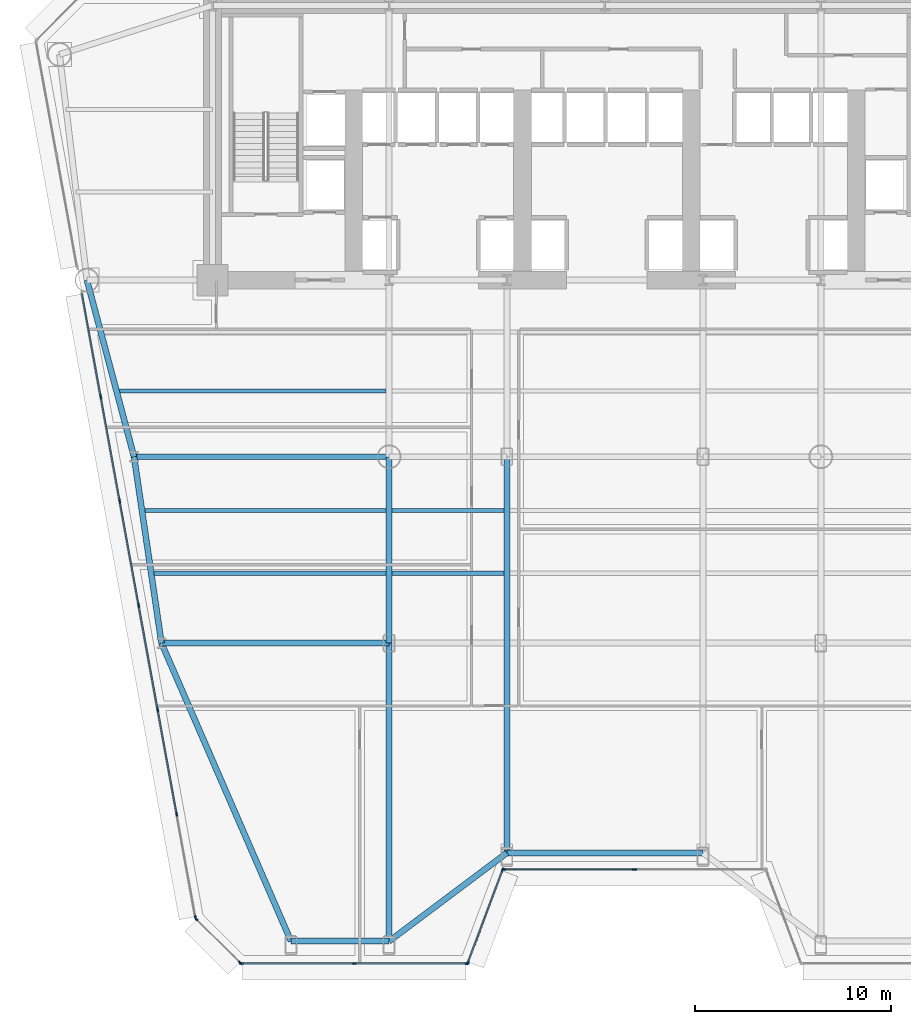
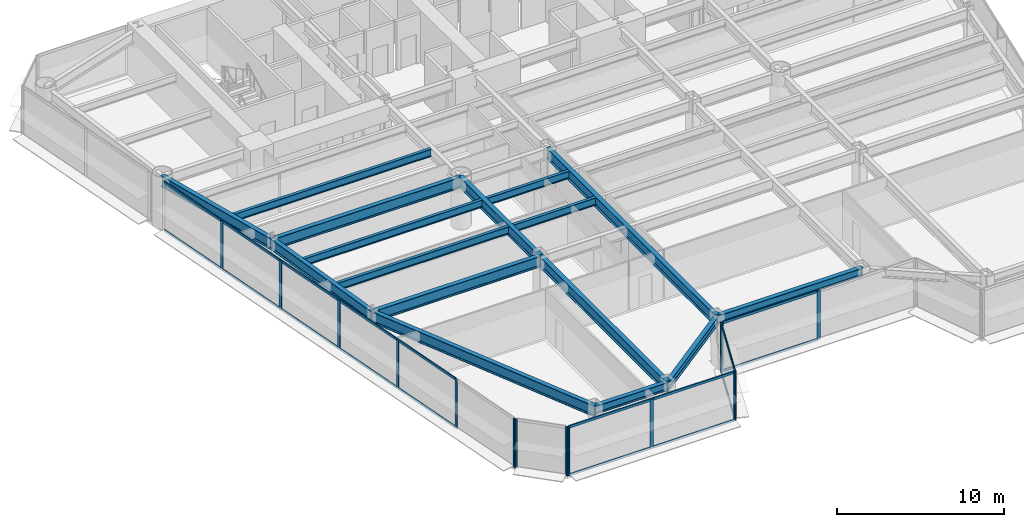
# One storey, part 2 of 14: 33 members, 16 beams, 5 elements without a shape of their own.
"""IFC4 building model written with IfcOpenShell, lengths in metres."""

from ifc_helpers import new_model, si_unit, direction, frame, origin, origin_2d, place, context, subcontext, project, spatial, rectangle, i_section, extrude, source, transform, mapped, material, layer, layer_set, material_profile, profile_set, type_object, element, aggregate, save


model = new_model("IFC4")

# Units and contexts
model_context = context("Model", 3, precision=1e-05, world=origin(), true_north=direction((0.0, 1.0)))
body_context = subcontext(model_context, "Body", "Model", "MODEL_VIEW")
ifc_project = project(units=[si_unit("LENGTHUNIT", "METRE"), si_unit("AREAUNIT", "SQUARE_METRE"), si_unit("VOLUMEUNIT", "CUBIC_METRE"), si_unit("PLANEANGLEUNIT", "RADIAN"), si_unit("MASSUNIT", "GRAM", prefix="KILO")], contexts=[model_context])

# Site, building, storey
site_placement = place(None, origin())
site = spatial("IfcSite", under=ifc_project, at=site_placement, CompositionType="ELEMENT")
building_placement = place(site_placement, origin())
building = spatial("IfcBuilding", under=site, at=building_placement, Name="Vaeldorn Concourse Tower", CompositionType="ELEMENT")
storey_placement = place(building_placement, frame((0.0, 0.0, 45.39990234375)))
storey = spatial("IfcBuildingStorey", under=building, at=storey_placement, Name="L11", CompositionType="ELEMENT", Elevation=45.39990234375)

# Beams
ifc_material_1 = material(Name="Steel S355", Category="steel")
ifc_material_profile_1 = material_profile(ifc_material_1, i_section(OverallWidth=0.300048828125, OverallDepth=0.800048828125, WebThickness=0.017578125, FlangeThickness=0.032958984375, FilletRadius=0.030029296875, at=origin_2d()), Name="HEB 800")
ifc_profile_set_1 = profile_set([ifc_material_profile_1], Name="Steel S355")
beam_type_1 = type_object("IfcBeamType", Name="BM-PG-HEB800", PredefinedType="BEAM", material=ifc_profile_set_1)
shared_shape_1 = source(origin(), body_context, "Body", "SweptSolid", [
    extrude(i_section(OverallWidth=0.300048828125, OverallDepth=0.800048828125, WebThickness=0.017578125, FlangeThickness=0.032958984375, FilletRadius=0.030029296875, at=origin_2d()), origin(), (0.0, 0.0, 1.0), 9.314453125),
])
beam_1_placement = place(storey_placement, frame((7.60009765625, 36.5, 3.18017578125), z_axis=(0.257652862255, -0.966237549763, 0.0), x_axis=(0.966237549763, 0.257652862255, 0.0)))
element("IfcBeam", 1, at=beam_1_placement, inside=storey, type_object=beam_type_1, Name="Beam BM-L11-C-NW2-C-FLW1", PredefinedType="BEAM", context=body_context, shape_type="MappedRepresentation", body=[
    mapped(shared_shape_1, transform((0.0, 0.0, 0.0), scale=1.0)),
])
shared_shape_2 = source(origin(), body_context, "Body", "SweptSolid", [
    extrude(i_section(OverallWidth=0.300048828125, OverallDepth=0.800048828125, WebThickness=0.017578125, FlangeThickness=0.032958984375, FilletRadius=0.030029296875, at=origin_2d()), origin(), (0.0, 0.0, 1.0), 13.0),
])
beam_2_placement = place(storey_placement, frame((10.0, 27.5, 3.18017578125), z_axis=(1.0, 0.0, 0.0), x_axis=(0.0, 1.0, 0.0)))
element("IfcBeam", 2, at=beam_2_placement, inside=storey, type_object=beam_type_1, Name="Beam BM-L11-C-FLW1-C-TW1", PredefinedType="BEAM", context=body_context, shape_type="MappedRepresentation", body=[
    mapped(shared_shape_2, transform((0.0, 0.0, 0.0), scale=1.0)),
])
ifc_material_profile_2 = material_profile(ifc_material_1, i_section(OverallWidth=0.300048828125, OverallDepth=0.60009765625, WebThickness=0.015380859375, FlangeThickness=0.030029296875, FilletRadius=0.027099609375, at=origin_2d()), Name="HEB 600")
ifc_profile_set_2 = profile_set([ifc_material_profile_2], Name="Steel S355")
beam_type_2 = type_object("IfcBeamType", Name="BM-SP-HEB600", PredefinedType="SPANDREL", material=ifc_profile_set_2)
shared_shape_3 = source(origin(), body_context, "Body", "SweptSolid", [
    extrude(i_section(OverallWidth=0.300048828125, OverallDepth=0.60009765625, WebThickness=0.015380859375, FlangeThickness=0.030029296875, FilletRadius=0.027099609375, at=origin_2d()), origin(), (0.0, 0.0, 1.0), 5.0),
])
beam_3_placement = place(storey_placement, frame((18.0, 2.8125, 3.280029296875), z_axis=(1.0, 0.0, 0.0), x_axis=(0.0, 1.0, 0.0)))
element("IfcBeam", 3, at=beam_3_placement, inside=storey, type_object=beam_type_2, Name="Beam BM-L11-C-SF1-C-SF2", PredefinedType="SPANDREL", context=body_context, shape_type="MappedRepresentation", body=[
    mapped(shared_shape_3, transform((0.0, 0.0, 0.0), scale=1.0)),
])
shared_shape_4 = source(origin(), body_context, "Body", "SweptSolid", [
    extrude(i_section(OverallWidth=0.300048828125, OverallDepth=0.60009765625, WebThickness=0.015380859375, FlangeThickness=0.030029296875, FilletRadius=0.027099609375, at=origin_2d()), origin(), (0.0, 0.0, 1.0), 7.5),
])
beam_4_placement = place(storey_placement, frame((23.0, 2.8125, 3.280029296875), z_axis=(0.8, 0.6, 0.0), x_axis=(-0.6, 0.8, 0.0)))
element("IfcBeam", 4, at=beam_4_placement, inside=storey, type_object=beam_type_2, Name="Beam BM-L11-C-SF2-C-SF3", PredefinedType="SPANDREL", context=body_context, shape_type="MappedRepresentation", body=[
    mapped(shared_shape_4, transform((0.0, 0.0, 0.0), scale=1.0)),
])
shared_shape_5 = source(origin(), body_context, "Body", "SweptSolid", [
    extrude(i_section(OverallWidth=0.300048828125, OverallDepth=0.60009765625, WebThickness=0.015380859375, FlangeThickness=0.030029296875, FilletRadius=0.027099609375, at=origin_2d()), origin(), (0.0, 0.0, 1.0), 10.0),
])
beam_5_placement = place(storey_placement, frame((29.0, 7.3125, 3.280029296875), z_axis=(1.0, 0.0, 0.0), x_axis=(0.0, 1.0, 0.0)))
element("IfcBeam", 5, at=beam_5_placement, inside=storey, type_object=beam_type_2, Name="Beam BM-L11-C-SF3-C-SF4", PredefinedType="SPANDREL", context=body_context, shape_type="MappedRepresentation", body=[
    mapped(shared_shape_5, transform((0.0, 0.0, 0.0), scale=1.0)),
])
shared_shape_6 = source(origin(), body_context, "Body", "SweptSolid", [
    extrude(i_section(OverallWidth=0.300048828125, OverallDepth=0.800048828125, WebThickness=0.017578125, FlangeThickness=0.032958984375, FilletRadius=0.030029296875, at=origin_2d()), origin(), (0.0, 0.0, 1.0), 9.6025390625),
])
beam_6_placement = place(storey_placement, frame((10.0, 27.5, 3.18017578125), z_axis=(0.145783835977, -0.989316467652, 0.0), x_axis=(0.989316467652, 0.145783835977, 0.0)))
element("IfcBeam", 6, at=beam_6_placement, inside=storey, type_object=beam_type_1, Name="Beam BM-L11-C-FLW1-C-FLW2", PredefinedType="BEAM", context=body_context, shape_type="MappedRepresentation", body=[
    mapped(shared_shape_6, transform((0.0, 0.0, 0.0), scale=1.0)),
])
shared_shape_7 = source(origin(), body_context, "Body", "SweptSolid", [
    extrude(i_section(OverallWidth=0.300048828125, OverallDepth=0.800048828125, WebThickness=0.017578125, FlangeThickness=0.032958984375, FilletRadius=0.030029296875, at=origin_2d()), origin(), (0.0, 0.0, 1.0), 11.60009765625),
])
beam_7_placement = place(storey_placement, frame((11.39990234375, 18.0, 3.18017578125), z_axis=(1.0, 0.0, 0.0), x_axis=(0.0, 1.0, 0.0)))
element("IfcBeam", 7, at=beam_7_placement, inside=storey, type_object=beam_type_1, Name="Beam BM-L11-C-FLW2-C-TW5", PredefinedType="BEAM", context=body_context, shape_type="MappedRepresentation", body=[
    mapped(shared_shape_7, transform((0.0, 0.0, 0.0), scale=1.0)),
])
shared_shape_8 = source(origin(), body_context, "Body", "SweptSolid", [
    extrude(i_section(OverallWidth=0.300048828125, OverallDepth=0.800048828125, WebThickness=0.017578125, FlangeThickness=0.032958984375, FilletRadius=0.030029296875, at=origin_2d()), origin(), (0.0, 0.0, 1.0), 9.5),
])
beam_8_placement = place(storey_placement, frame((23.0, 18.0, 3.18017578125), z_axis=(0.0, 1.0, 0.0), x_axis=(-1.0, 0.0, 0.0)))
element("IfcBeam", 8, at=beam_8_placement, inside=storey, type_object=beam_type_1, Name="Beam BM-L11-C-TW5-C-TW1", PredefinedType="BEAM", context=body_context, shape_type="MappedRepresentation", body=[
    mapped(shared_shape_8, transform((0.0, 0.0, 0.0), scale=1.0)),
])
ifc_material_profile_3 = material_profile(ifc_material_1, i_section(OverallWidth=0.2099609375, OverallDepth=0.550048828125, WebThickness=0.010986328125, FlangeThickness=0.01708984375, FilletRadius=0.02392578125, at=origin_2d()), Name="IPE 550")
ifc_profile_set_3 = profile_set([ifc_material_profile_3], Name="Steel S355")
beam_type_3 = type_object("IfcBeamType", Name="BM-JS-IPE550", PredefinedType="JOIST", material=ifc_profile_set_3)
shared_shape_9 = source(origin(), body_context, "Body", "SweptSolid", [
    extrude(i_section(OverallWidth=0.2099609375, OverallDepth=0.550048828125, WebThickness=0.010986328125, FlangeThickness=0.01708984375, FilletRadius=0.02392578125, at=origin_2d()), origin(), (0.0, 0.0, 1.0), 5.7001953125),
])
for number, where, z_axis, x_axis, name in (
    (9, (23.14990234375, 21.56005859375, 3.30517578125), (1.0, 0.0, 0.0), (0.0, 1.0, 0.0), "Beam JS-L11-W2-215"),
    (10, (23.14990234375, 24.760009765625, 3.30517578125), (1.0, 0.0, 0.0), (0.0, 1.0, 0.0), "Beam JS-L11-W2-247"),
):
    element("IfcBeam", number, at=place(storey_placement, frame(where, z_axis=z_axis, x_axis=x_axis)), inside=storey, type_object=beam_type_3, Name=name, PredefinedType="JOIST", context=body_context, shape_type="MappedRepresentation", body=[
        mapped(shared_shape_9, transform((0.0, 0.0, 0.0), scale=1.0)),
    ])
shared_shape_10 = source(origin(), body_context, "Body", "SweptSolid", [
    extrude(i_section(OverallWidth=0.2099609375, OverallDepth=0.550048828125, WebThickness=0.010986328125, FlangeThickness=0.01708984375, FilletRadius=0.02392578125, at=origin_2d()), origin(), (0.0, 0.0, 1.0), 11.82470703125),
])
beam_9_placement = place(storey_placement, frame((11.025390625, 21.56005859375, 3.30517578125), z_axis=(1.0, 0.0, 0.0), x_axis=(0.0, 1.0, 0.0)))
element("IfcBeam", 11, at=beam_9_placement, inside=storey, type_object=beam_type_3, Name="Beam JS-L11-W1-215", PredefinedType="JOIST", context=body_context, shape_type="MappedRepresentation", body=[
    mapped(shared_shape_10, transform((0.0, 0.0, 0.0), scale=1.0)),
])
shared_shape_11 = source(origin(), body_context, "Body", "SweptSolid", [
    extrude(i_section(OverallWidth=0.2099609375, OverallDepth=0.550048828125, WebThickness=0.010986328125, FlangeThickness=0.01708984375, FilletRadius=0.02392578125, at=origin_2d()), origin(), (0.0, 0.0, 1.0), 12.29638671875),
])
beam_10_placement = place(storey_placement, frame((10.5537109375, 24.760009765625, 3.30517578125), z_axis=(1.0, 0.0, 0.0), x_axis=(0.0, 1.0, 0.0)))
element("IfcBeam", 12, at=beam_10_placement, inside=storey, type_object=beam_type_3, Name="Beam JS-L11-W1-247", PredefinedType="JOIST", context=body_context, shape_type="MappedRepresentation", body=[
    mapped(shared_shape_11, transform((0.0, 0.0, 0.0), scale=1.0)),
])
shared_shape_12 = source(origin(), body_context, "Body", "SweptSolid", [
    extrude(i_section(OverallWidth=0.2099609375, OverallDepth=0.550048828125, WebThickness=0.010986328125, FlangeThickness=0.01708984375, FilletRadius=0.02392578125, at=origin_2d()), origin(), (0.0, 0.0, 1.0), 13.59619140625),
])
beam_11_placement = place(storey_placement, frame((9.25390625, 30.860107421875, 3.30517578125), z_axis=(1.0, 0.0, 0.0), x_axis=(0.0, 1.0, 0.0)))
element("IfcBeam", 13, at=beam_11_placement, inside=storey, type_object=beam_type_3, Name="Beam JS-L11-W1-308", PredefinedType="JOIST", context=body_context, shape_type="MappedRepresentation", body=[
    mapped(shared_shape_12, transform((0.0, 0.0, 0.0), scale=1.0)),
])
shared_shape_13 = source(origin(), body_context, "Body", "SweptSolid", [
    extrude(i_section(OverallWidth=0.300048828125, OverallDepth=0.800048828125, WebThickness=0.017578125, FlangeThickness=0.032958984375, FilletRadius=0.030029296875, at=origin_2d()), origin(), (0.0, 0.0, 1.0), 16.5595703125),
])
beam_12_placement = place(storey_placement, frame((18.0, 2.8125, 3.18017578125), z_axis=(-0.398565454531, 0.917139890341, 0.0), x_axis=(-0.917139890341, -0.398565454531, 0.0)))
element("IfcBeam", 14, at=beam_12_placement, inside=storey, type_object=beam_type_1, Name="Beam BM-L11-C-SF1-C-FLW2", PredefinedType="BEAM", context=body_context, shape_type="MappedRepresentation", body=[
    mapped(shared_shape_13, transform((0.0, 0.0, 0.0), scale=1.0)),
])
shared_shape_14 = source(origin(), body_context, "Body", "SweptSolid", [
    extrude(i_section(OverallWidth=0.300048828125, OverallDepth=0.800048828125, WebThickness=0.017578125, FlangeThickness=0.032958984375, FilletRadius=0.030029296875, at=origin_2d()), origin(), (0.0, 0.0, 1.0), 15.1875),
])
beam_13_placement = place(storey_placement, frame((23.0, 2.8125, 3.18017578125), z_axis=(0.0, 1.0, 0.0), x_axis=(-1.0, 0.0, 0.0)))
element("IfcBeam", 15, at=beam_13_placement, inside=storey, type_object=beam_type_1, Name="Beam BM-L11-C-SF2-C-TW5", PredefinedType="BEAM", context=body_context, shape_type="MappedRepresentation", body=[
    mapped(shared_shape_14, transform((0.0, 0.0, 0.0), scale=1.0)),
])
shared_shape_15 = source(origin(), body_context, "Body", "SweptSolid", [
    extrude(i_section(OverallWidth=0.300048828125, OverallDepth=0.800048828125, WebThickness=0.017578125, FlangeThickness=0.032958984375, FilletRadius=0.030029296875, at=origin_2d()), origin(), (0.0, 0.0, 1.0), 20.1875),
])
beam_14_placement = place(storey_placement, frame((29.0, 7.3125, 3.18017578125), z_axis=(0.0, 1.0, 0.0), x_axis=(-1.0, 0.0, 0.0)))
element("IfcBeam", 16, at=beam_14_placement, inside=storey, type_object=beam_type_1, Name="Beam BM-L11-C-SF3-C-TW2", PredefinedType="BEAM", context=body_context, shape_type="MappedRepresentation", body=[
    mapped(shared_shape_15, transform((0.0, 0.0, 0.0), scale=1.0)),
])

# Curtain wall, members
ifc_material_2 = material(Name="Anodised Bronze Aluminium", Category="aluminium")
ifc_layer = layer(ifc_material_2, 0.219970703125)
ifc_layer_set = layer_set([ifc_layer], Name="Anodised Bronze Aluminium")
curtain_wall_type = type_object("IfcCurtainWallType", Name="CW-SYS-01", PredefinedType="NOTDEFINED", material=ifc_layer_set)
curtain_wall_1_placement = place(storey_placement, origin())
curtain_wall_1 = element("IfcCurtainWall", 17, at=curtain_wall_1_placement, inside=storey, type_object=curtain_wall_type, Name="Unitised Curtain Wall CW-L11-E03-1", PredefinedType="NOTDEFINED")
ifc_material_profile_4 = material_profile(ifc_material_2, rectangle(XDim=0.074951171875, YDim=0.179931640625, at=origin_2d()), Name="CWT 75x180")
ifc_profile_set_4 = profile_set([ifc_material_profile_4], Name="Anodised Bronze Aluminium")
member_type_1 = type_object("IfcMemberType", Name="CWT-BRONZE-180", PredefinedType="USERDEFINED", material=ifc_profile_set_4)
shared_shape_16 = source(origin(), body_context, "Body", "SweptSolid", [
    extrude(rectangle(XDim=0.074951171875, YDim=0.179931640625, at=origin_2d()), origin(), (0.0, 0.0, 1.0), 6.58740234375),
])
member_1_placement = place(storey_placement, frame((28.875, 6.473388671875, 0.03759765625), z_axis=(1.0, 0.0, 0.0), x_axis=(0.0, 1.0, 0.0)))
member_1 = element("IfcMember", 18, at=member_1_placement, type_object=member_type_1, Name="CW-01 transom 1.1", ObjectType="TRANSOM", PredefinedType="USERDEFINED", context=body_context, shape_type="MappedRepresentation", body=[
    mapped(shared_shape_16, transform((0.0, 0.0, 0.0), scale=1.0)),
])
member_2_placement = place(storey_placement, frame((28.875, 6.473388671875, 3.54248046875), z_axis=(1.0, 0.0, 0.0), x_axis=(0.0, 1.0, 0.0)))
member_2 = element("IfcMember", 19, at=member_2_placement, type_object=member_type_1, Name="CW-01 transom 1.2", ObjectType="TRANSOM", PredefinedType="USERDEFINED", context=body_context, shape_type="MappedRepresentation", body=[
    mapped(shared_shape_16, transform((0.0, 0.0, 0.0), scale=1.0)),
])

curtain_wall_2_placement = place(storey_placement, origin())
curtain_wall_2 = element("IfcCurtainWall", 20, at=curtain_wall_2_placement, inside=storey, type_object=curtain_wall_type, Name="Unitised Curtain Wall CW-L11-E02-1", PredefinedType="NOTDEFINED")
shared_shape_17 = source(origin(), body_context, "Body", "SweptSolid", [
    extrude(rectangle(XDim=0.074951171875, YDim=0.179931640625, at=origin_2d()), origin(), (0.0, 0.0, 1.0), 4.9765625),
])
member_3_placement = place(storey_placement, frame((27.0263671875, 1.74365234375, 0.03759765625), z_axis=(0.351112688987, 0.936333209724, 0.0), x_axis=(-0.936333209724, 0.351112688987, 0.0)))
member_3 = element("IfcMember", 21, at=member_3_placement, type_object=member_type_1, Name="CW-01 transom 1.1", ObjectType="TRANSOM", PredefinedType="USERDEFINED", context=body_context, shape_type="MappedRepresentation", body=[
    mapped(shared_shape_17, transform((0.0, 0.0, 0.0), scale=1.0)),
])
member_4_placement = place(storey_placement, frame((27.0263671875, 1.74365234375, 3.54248046875), z_axis=(0.351112688987, 0.936333209724, 0.0), x_axis=(-0.936333209724, 0.351112688987, 0.0)))
member_4 = element("IfcMember", 22, at=member_4_placement, type_object=member_type_1, Name="CW-01 transom 1.2", ObjectType="TRANSOM", PredefinedType="USERDEFINED", context=body_context, shape_type="MappedRepresentation", body=[
    mapped(shared_shape_17, transform((0.0, 0.0, 0.0), scale=1.0)),
])

curtain_wall_3_placement = place(storey_placement, origin())
curtain_wall_3 = element("IfcCurtainWall", 23, at=curtain_wall_3_placement, inside=storey, type_object=curtain_wall_type, Name="Unitised Curtain Wall CW-L11-E01-1", PredefinedType="NOTDEFINED")
ifc_material_profile_5 = material_profile(ifc_material_2, rectangle(XDim=0.074951171875, YDim=0.219970703125, at=origin_2d()), Name="CWM 75x220")
ifc_profile_set_5 = profile_set([ifc_material_profile_5], Name="Anodised Bronze Aluminium")
member_type_2 = type_object("IfcMemberType", Name="CWM-BRONZE-220", PredefinedType="MULLION", material=ifc_profile_set_5)
shared_shape_18 = source(origin(), body_context, "Body", "SweptSolid", [
    extrude(rectangle(XDim=0.074951171875, YDim=0.219970703125, at=origin_2d()), origin(), (0.0, 0.0, 1.0), 3.580078125),
])
member_5_placement = place(storey_placement, frame((15.476318359375, 1.673583984375, 0.0), z_axis=(0.0, 0.0, 1.0), x_axis=(0.0, 1.0, 0.0)))
member_5 = element("IfcMember", 24, at=member_5_placement, type_object=member_type_2, Name="CW-01 mullion 1", PredefinedType="MULLION", context=body_context, shape_type="MappedRepresentation", body=[
    mapped(shared_shape_18, transform((0.0, 0.0, 0.0), scale=1.0)),
])
member_6_placement = place(storey_placement, frame((21.219482421875, 1.673583984375, 0.0), z_axis=(0.0, 0.0, 1.0), x_axis=(0.0, 1.0, 0.0)))
member_6 = element("IfcMember", 25, at=member_6_placement, type_object=member_type_2, Name="CW-01 mullion 2", PredefinedType="MULLION", context=body_context, shape_type="MappedRepresentation", body=[
    mapped(shared_shape_18, transform((0.0, 0.0, 0.0), scale=1.0)),
])
member_7_placement = place(storey_placement, frame((26.96240234375, 1.673583984375, 0.0), z_axis=(0.0, 0.0, 1.0), x_axis=(0.0, 1.0, 0.0)))
member_7 = element("IfcMember", 26, at=member_7_placement, type_object=member_type_2, Name="CW-01 mullion 3", PredefinedType="MULLION", context=body_context, shape_type="MappedRepresentation", body=[
    mapped(shared_shape_18, transform((0.0, 0.0, 0.0), scale=1.0)),
])

# Member
member_8_placement = place(storey_placement, frame((27.01318359375, 1.70849609375, 0.0), z_axis=(0.0, 0.0, 1.0), x_axis=(-0.936329177566, 0.351123441595, 0.0)))
member_8 = element("IfcMember", 27, at=member_8_placement, type_object=member_type_2, Name="CW-01 mullion 1", PredefinedType="MULLION", context=body_context, shape_type="MappedRepresentation", body=[
    mapped(shared_shape_18, transform((0.0, 0.0, 0.0), scale=1.0)),
])

member_9_placement = place(storey_placement, frame((28.786865234375, 6.4384765625, 0.0), z_axis=(0.0, 0.0, 1.0), x_axis=(-0.936329177566, 0.351123441595, 0.0)))
member_9 = element("IfcMember", 28, at=member_9_placement, type_object=member_type_2, Name="CW-01 mullion 2", PredefinedType="MULLION", context=body_context, shape_type="MappedRepresentation", body=[
    mapped(shared_shape_18, transform((0.0, 0.0, 0.0), scale=1.0)),
])

aggregate(curtain_wall_2, [member_8, member_9, member_3, member_4])

member_10_placement = place(storey_placement, frame((28.83740234375, 6.473388671875, 0.0), z_axis=(0.0, 0.0, 1.0), x_axis=(0.0, 1.0, 0.0)))
member_10 = element("IfcMember", 29, at=member_10_placement, type_object=member_type_2, Name="CW-01 mullion 1", PredefinedType="MULLION", context=body_context, shape_type="MappedRepresentation", body=[
    mapped(shared_shape_18, transform((0.0, 0.0, 0.0), scale=1.0)),
])

member_11_placement = place(storey_placement, frame((35.5, 6.473388671875, 0.0), z_axis=(0.0, 0.0, 1.0), x_axis=(0.0, 1.0, 0.0)))
member_11 = element("IfcMember", 30, at=member_11_placement, type_object=member_type_2, Name="CW-01 mullion 2", PredefinedType="MULLION", context=body_context, shape_type="MappedRepresentation", body=[
    mapped(shared_shape_18, transform((0.0, 0.0, 0.0), scale=1.0)),
])

aggregate(curtain_wall_1, [member_10, member_11, member_1, member_2])

# Curtain wall, members
curtain_wall_4_placement = place(storey_placement, origin())
curtain_wall_4 = element("IfcCurtainWall", 31, at=curtain_wall_4_placement, inside=storey, type_object=curtain_wall_type, Name="Unitised Curtain Wall CW-L11-E11-2", PredefinedType="NOTDEFINED")
member_12_placement = place(storey_placement, frame((8.300537109375, 30.562744140625, 0.0), z_axis=(0.0, 0.0, 1.0), x_axis=(0.983843702363, 0.179029520807, 0.0)))
member_12 = element("IfcMember", 32, at=member_12_placement, type_object=member_type_2, Name="CW-01 mullion 2", PredefinedType="MULLION", context=body_context, shape_type="MappedRepresentation", body=[
    mapped(shared_shape_18, transform((0.0, 0.0, 0.0), scale=1.0)),
])
member_13_placement = place(storey_placement, frame((9.26806640625, 25.244873046875, 0.0), z_axis=(0.0, 0.0, 1.0), x_axis=(0.983843702363, 0.179029520807, 0.0)))
member_13 = element("IfcMember", 33, at=member_13_placement, type_object=member_type_2, Name="CW-01 mullion 3", PredefinedType="MULLION", context=body_context, shape_type="MappedRepresentation", body=[
    mapped(shared_shape_18, transform((0.0, 0.0, 0.0), scale=1.0)),
])
member_14_placement = place(storey_placement, frame((10.23583984375, 19.927001953125, 0.0), z_axis=(0.0, 0.0, 1.0), x_axis=(0.983843702363, 0.179029520807, 0.0)))
member_14 = element("IfcMember", 34, at=member_14_placement, type_object=member_type_2, Name="CW-01 mullion 4", PredefinedType="MULLION", context=body_context, shape_type="MappedRepresentation", body=[
    mapped(shared_shape_18, transform((0.0, 0.0, 0.0), scale=1.0)),
])
member_15_placement = place(storey_placement, frame((11.20361328125, 14.609130859375, 0.0), z_axis=(0.0, 0.0, 1.0), x_axis=(0.983843702363, 0.179029520807, 0.0)))
member_15 = element("IfcMember", 35, at=member_15_placement, type_object=member_type_2, Name="CW-01 mullion 5", PredefinedType="MULLION", context=body_context, shape_type="MappedRepresentation", body=[
    mapped(shared_shape_18, transform((0.0, 0.0, 0.0), scale=1.0)),
])
member_16_placement = place(storey_placement, frame((12.171142578125, 9.291259765625, 0.0), z_axis=(0.0, 0.0, 1.0), x_axis=(0.983843702363, 0.179029520807, 0.0)))
member_16 = element("IfcMember", 36, at=member_16_placement, type_object=member_type_2, Name="CW-01 mullion 6", PredefinedType="MULLION", context=body_context, shape_type="MappedRepresentation", body=[
    mapped(shared_shape_18, transform((0.0, 0.0, 0.0), scale=1.0)),
])
member_17_placement = place(storey_placement, frame((13.132080078125, 4.010498046875, 0.0), z_axis=(0.0, 0.0, 1.0), x_axis=(0.983843702363, 0.179029520807, 0.0)))
member_17 = element("IfcMember", 37, at=member_17_placement, type_object=member_type_2, Name="CW-01 mullion 7", PredefinedType="MULLION", context=body_context, shape_type="MappedRepresentation", body=[
    mapped(shared_shape_18, transform((0.0, 0.0, 0.0), scale=1.0)),
])

curtain_wall_5_placement = place(storey_placement, origin())
curtain_wall_5 = element("IfcCurtainWall", 38, at=curtain_wall_5_placement, inside=storey, type_object=curtain_wall_type, Name="Unitised Curtain Wall CW-L11-E12-1", PredefinedType="NOTDEFINED")
member_18_placement = place(storey_placement, frame((13.16552734375, 3.947021484375, 0.0), z_axis=(0.0, 0.0, 1.0), x_axis=(0.707106781187, 0.707106781187, 0.0)))
member_18 = element("IfcMember", 39, at=member_18_placement, type_object=member_type_2, Name="CW-01 mullion 1", PredefinedType="MULLION", context=body_context, shape_type="MappedRepresentation", body=[
    mapped(shared_shape_18, transform((0.0, 0.0, 0.0), scale=1.0)),
])
member_19_placement = place(storey_placement, frame((15.412353515625, 1.699951171875, 0.0), z_axis=(0.0, 0.0, 1.0), x_axis=(0.707106781187, 0.707106781187, 0.0)))
member_19 = element("IfcMember", 40, at=member_19_placement, type_object=member_type_2, Name="CW-01 mullion 2", PredefinedType="MULLION", context=body_context, shape_type="MappedRepresentation", body=[
    mapped(shared_shape_18, transform((0.0, 0.0, 0.0), scale=1.0)),
])
aggregate(curtain_wall_5, [member_18, member_19])

# Member
shared_shape_19 = source(origin(), body_context, "Body", "SweptSolid", [
    extrude(rectangle(XDim=0.074951171875, YDim=0.179931640625, at=origin_2d()), origin(), (0.0, 0.0, 1.0), 5.66796875),
])
member_20_placement = place(storey_placement, frame((15.513916015625, 1.673583984375, 0.03759765625), z_axis=(1.0, 0.0, 0.0), x_axis=(0.0, 1.0, 0.0)))
member_20 = element("IfcMember", 41, at=member_20_placement, type_object=member_type_1, Name="CW-01 transom 1.1", ObjectType="TRANSOM", PredefinedType="USERDEFINED", context=body_context, shape_type="MappedRepresentation", body=[
    mapped(shared_shape_19, transform((0.0, 0.0, 0.0), scale=1.0)),
])

member_21_placement = place(storey_placement, frame((15.513916015625, 1.673583984375, 3.54248046875), z_axis=(1.0, 0.0, 0.0), x_axis=(0.0, 1.0, 0.0)))
member_21 = element("IfcMember", 42, at=member_21_placement, type_object=member_type_1, Name="CW-01 transom 1.2", ObjectType="TRANSOM", PredefinedType="USERDEFINED", context=body_context, shape_type="MappedRepresentation", body=[
    mapped(shared_shape_19, transform((0.0, 0.0, 0.0), scale=1.0)),
])

shared_shape_20 = source(origin(), body_context, "Body", "SweptSolid", [
    extrude(rectangle(XDim=0.074951171875, YDim=0.179931640625, at=origin_2d()), origin(), (0.0, 0.0, 1.0), 5.668212890625),
])
member_22_placement = place(storey_placement, frame((21.2568359375, 1.673583984375, 0.03759765625), z_axis=(1.0, 0.0, 0.0), x_axis=(0.0, 1.0, 0.0)))
member_22 = element("IfcMember", 43, at=member_22_placement, type_object=member_type_1, Name="CW-01 transom 2.1", ObjectType="TRANSOM", PredefinedType="USERDEFINED", context=body_context, shape_type="MappedRepresentation", body=[
    mapped(shared_shape_20, transform((0.0, 0.0, 0.0), scale=1.0)),
])

member_23_placement = place(storey_placement, frame((21.2568359375, 1.673583984375, 3.54248046875), z_axis=(1.0, 0.0, 0.0), x_axis=(0.0, 1.0, 0.0)))
member_23 = element("IfcMember", 44, at=member_23_placement, type_object=member_type_1, Name="CW-01 transom 2.2", ObjectType="TRANSOM", PredefinedType="USERDEFINED", context=body_context, shape_type="MappedRepresentation", body=[
    mapped(shared_shape_20, transform((0.0, 0.0, 0.0), scale=1.0)),
])

aggregate(curtain_wall_3, [member_5, member_6, member_7, member_20, member_21, member_22, member_23])

shared_shape_21 = source(origin(), body_context, "Body", "SweptSolid", [
    extrude(rectangle(XDim=0.074951171875, YDim=0.179931640625, at=origin_2d()), origin(), (0.0, 0.0, 1.0), 5.29248046875),
])
member_24_placement = place(storey_placement, frame((7.34619140625, 35.806640625, 0.03759765625), z_axis=(0.179027514342, -0.983844067476, 0.0), x_axis=(0.983844067476, 0.179027514342, 0.0)))
member_24 = element("IfcMember", 45, at=member_24_placement, type_object=member_type_1, Name="CW-01 transom 1.1", ObjectType="TRANSOM", PredefinedType="USERDEFINED", context=body_context, shape_type="MappedRepresentation", body=[
    mapped(shared_shape_21, transform((0.0, 0.0, 0.0), scale=1.0)),
])

member_25_placement = place(storey_placement, frame((7.34619140625, 35.806640625, 3.54248046875), z_axis=(0.179027514342, -0.983844067476, 0.0), x_axis=(0.983844067476, 0.179027514342, 0.0)))
member_25 = element("IfcMember", 46, at=member_25_placement, type_object=member_type_1, Name="CW-01 transom 1.2", ObjectType="TRANSOM", PredefinedType="USERDEFINED", context=body_context, shape_type="MappedRepresentation", body=[
    mapped(shared_shape_21, transform((0.0, 0.0, 0.0), scale=1.0)),
])

shared_shape_22 = source(origin(), body_context, "Body", "SweptSolid", [
    extrude(rectangle(XDim=0.074951171875, YDim=0.179931640625, at=origin_2d()), origin(), (0.0, 0.0, 1.0), 5.330322265625),
])
member_26_placement = place(storey_placement, frame((8.30712890625, 30.52587890625, 0.03759765625), z_axis=(0.179042630675, -0.983841316677, 0.0), x_axis=(0.983841316677, 0.179042630675, 0.0)))
member_26 = element("IfcMember", 47, at=member_26_placement, type_object=member_type_1, Name="CW-01 transom 2.1", ObjectType="TRANSOM", PredefinedType="USERDEFINED", context=body_context, shape_type="MappedRepresentation", body=[
    mapped(shared_shape_22, transform((0.0, 0.0, 0.0), scale=1.0)),
])

member_27_placement = place(storey_placement, frame((8.30712890625, 30.52587890625, 3.54248046875), z_axis=(0.179042630675, -0.983841316677, 0.0), x_axis=(0.983841316677, 0.179042630675, 0.0)))
member_27 = element("IfcMember", 48, at=member_27_placement, type_object=member_type_1, Name="CW-01 transom 2.2", ObjectType="TRANSOM", PredefinedType="USERDEFINED", context=body_context, shape_type="MappedRepresentation", body=[
    mapped(shared_shape_22, transform((0.0, 0.0, 0.0), scale=1.0)),
])

member_28_placement = place(storey_placement, frame((9.27490234375, 25.2080078125, 0.03759765625), z_axis=(0.179042630675, -0.983841316677, 0.0), x_axis=(0.983841316677, 0.179042630675, 0.0)))
member_28 = element("IfcMember", 49, at=member_28_placement, type_object=member_type_1, Name="CW-01 transom 3.1", ObjectType="TRANSOM", PredefinedType="USERDEFINED", context=body_context, shape_type="MappedRepresentation", body=[
    mapped(shared_shape_22, transform((0.0, 0.0, 0.0), scale=1.0)),
])

member_29_placement = place(storey_placement, frame((9.27490234375, 25.2080078125, 3.54248046875), z_axis=(0.179042630675, -0.983841316677, 0.0), x_axis=(0.983841316677, 0.179042630675, 0.0)))
member_29 = element("IfcMember", 50, at=member_29_placement, type_object=member_type_1, Name="CW-01 transom 3.2", ObjectType="TRANSOM", PredefinedType="USERDEFINED", context=body_context, shape_type="MappedRepresentation", body=[
    mapped(shared_shape_22, transform((0.0, 0.0, 0.0), scale=1.0)),
])

member_30_placement = place(storey_placement, frame((10.24267578125, 19.89013671875, 0.03759765625), z_axis=(0.178998295723, -0.983849383863, 0.0), x_axis=(0.983849383863, 0.178998295723, 0.0)))
member_30 = element("IfcMember", 51, at=member_30_placement, type_object=member_type_1, Name="CW-01 transom 4.1", ObjectType="TRANSOM", PredefinedType="USERDEFINED", context=body_context, shape_type="MappedRepresentation", body=[
    mapped(shared_shape_22, transform((0.0, 0.0, 0.0), scale=1.0)),
])

member_31_placement = place(storey_placement, frame((10.24267578125, 19.89013671875, 3.54248046875), z_axis=(0.178998295723, -0.983849383863, 0.0), x_axis=(0.983849383863, 0.178998295723, 0.0)))
member_31 = element("IfcMember", 52, at=member_31_placement, type_object=member_type_1, Name="CW-01 transom 4.2", ObjectType="TRANSOM", PredefinedType="USERDEFINED", context=body_context, shape_type="MappedRepresentation", body=[
    mapped(shared_shape_22, transform((0.0, 0.0, 0.0), scale=1.0)),
])

member_32_placement = place(storey_placement, frame((11.210205078125, 14.572265625, 0.03759765625), z_axis=(0.179042630675, -0.983841316677, 0.0), x_axis=(0.983841316677, 0.179042630675, 0.0)))
member_32 = element("IfcMember", 53, at=member_32_placement, type_object=member_type_1, Name="CW-01 transom 5.1", ObjectType="TRANSOM", PredefinedType="USERDEFINED", context=body_context, shape_type="MappedRepresentation", body=[
    mapped(shared_shape_22, transform((0.0, 0.0, 0.0), scale=1.0)),
])

member_33_placement = place(storey_placement, frame((11.210205078125, 14.572265625, 3.54248046875), z_axis=(0.179042630675, -0.983841316677, 0.0), x_axis=(0.983841316677, 0.179042630675, 0.0)))
member_33 = element("IfcMember", 54, at=member_33_placement, type_object=member_type_1, Name="CW-01 transom 5.2", ObjectType="TRANSOM", PredefinedType="USERDEFINED", context=body_context, shape_type="MappedRepresentation", body=[
    mapped(shared_shape_22, transform((0.0, 0.0, 0.0), scale=1.0)),
])

aggregate(curtain_wall_4, [member_12, member_13, member_14, member_15, member_16, member_17, member_24, member_25, member_26, member_27, member_28, member_29, member_30, member_31, member_32, member_33])

save(model, "model.ifc")
